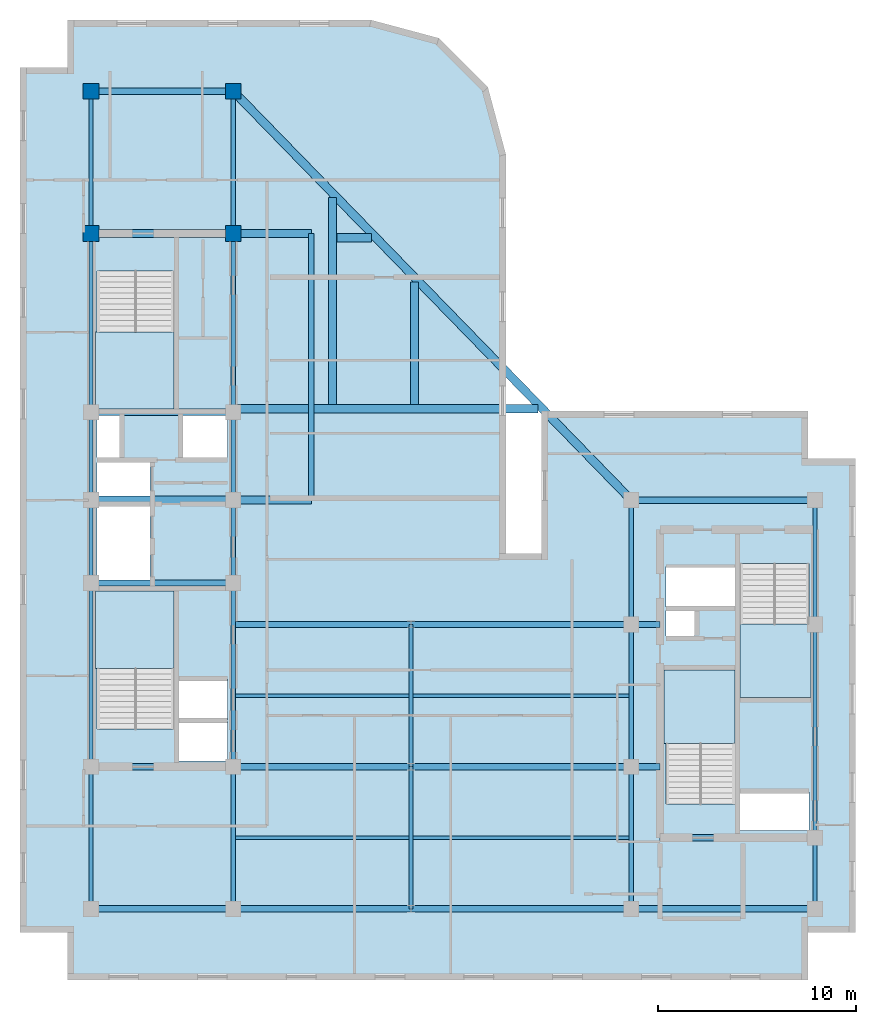
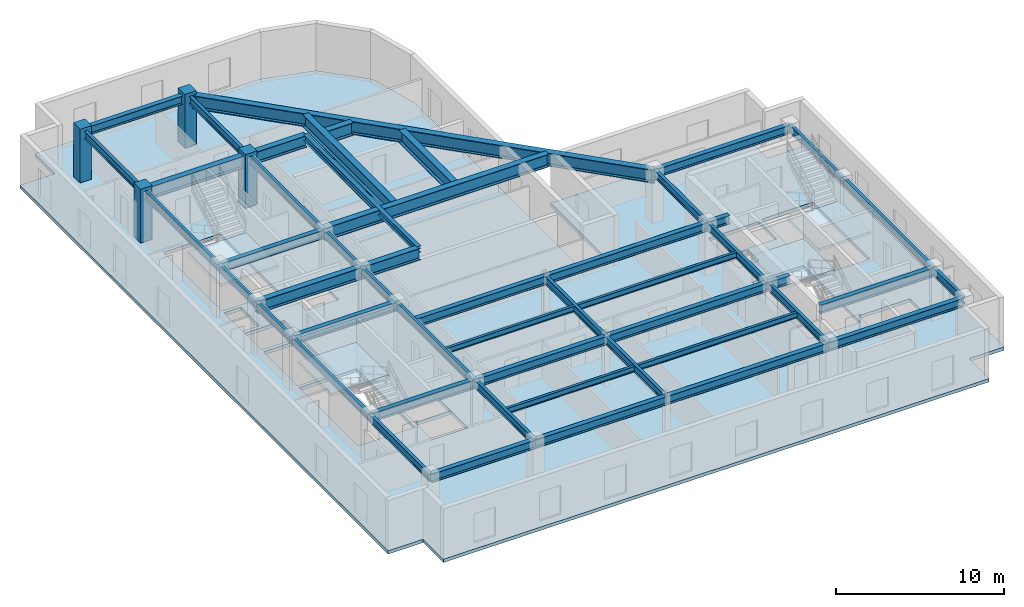
# One storey, part 2 of 10: 48 beams, 5 slabs, 4 columns, 4 elements without a shape of their own.
"""IFC4 building model written with IfcOpenShell, lengths in metres."""

from ifc_helpers import new_model, entity, si_unit, converted_unit, direction, frame, origin_with_axes, origin_2d_with_axis, place, context, subcontext, project, spatial, polyline, rectangle, i_section, outline, extrude, material, layer, layer_set, material_profile, profile_set, type_object, element, aggregate, save


model = new_model("IFC4")

# Units and contexts
model_context = context("Model", 3, precision=1e-05, world=origin_with_axes(), true_north=direction((0.0, 1.0)))
body_context = subcontext(model_context, "Body", "Model", "MODEL_VIEW")
ifc_project = project(units=[si_unit("LENGTHUNIT", "METRE"), si_unit("AREAUNIT", "SQUARE_METRE"), si_unit("VOLUMEUNIT", "CUBIC_METRE"), converted_unit("PLANEANGLEUNIT", "DEGREE", entity("IfcPlaneAngleMeasure", 0.017453292519943295), si_unit("PLANEANGLEUNIT", "RADIAN"), dimensions=[0, 0, 0, 0, 0, 0, 0]), si_unit("MASSUNIT", "GRAM", prefix="KILO"), si_unit("THERMODYNAMICTEMPERATUREUNIT", "KELVIN")], contexts=[model_context])

# Site, building, storey
site_placement = place(None, origin_with_axes())
site = spatial("IfcSite", under=ifc_project, at=site_placement, CompositionType="ELEMENT")
building_placement = place(site_placement, origin_with_axes())
building = spatial("IfcBuilding", under=site, at=building_placement, Name="Varnlund Millrace Tower", CompositionType="ELEMENT")
storey_placement = place(building_placement, frame((0.0, 0.0, 280.2), z_axis=(0.0, 0.0, 1.0), x_axis=(1.0, 0.0, 0.0)))
storey = spatial("IfcBuildingStorey", under=building, at=storey_placement, Name="L69", CompositionType="ELEMENT", Elevation=280.2)

# Columns
ifc_material_1 = material(Name="Concrete C60/75", Category="concrete")
ifc_material_profile_1 = material_profile(ifc_material_1, rectangle(XDim=0.8, YDim=0.8, at=origin_2d_with_axis()), Name="Concrete C60/75")
ifc_profile_set_1 = profile_set([ifc_material_profile_1], Name="Concrete C60/75")
column_type = type_object("IfcColumnType", Name="Type-Col-RC800-C60", PredefinedType="COLUMN", material=ifc_profile_set_1)
for number, where, z_axis, x_axis, name in (
    (1, (11.4, 37.8, 0.0), (0.0, 0.0, 1.0), (1.0, 0.0, 0.0), "Type-Col-RC800-C60"),
    (2, (11.4, 45.0, 0.0), (0.0, 0.0, 1.0), (1.0, 0.0, 0.0), "Type-Col-RC800-C60"),
    (3, (18.6, 37.8, 0.0), (0.0, 0.0, 1.0), (1.0, 0.0, 0.0), "Type-Col-RC800-C60"),
    (4, (18.6, 45.0, 0.0), (0.0, 0.0, 1.0), (1.0, 0.0, 0.0), "Type-Col-RC800-C60"),
):
    element("IfcColumn", number, at=place(storey_placement, frame(where, z_axis=z_axis, x_axis=x_axis)), inside=storey, type_object=column_type, Name=name, PredefinedType="COLUMN", context=body_context, shape_type="SweptSolid", body=[
        extrude(rectangle(XDim=0.8, YDim=0.8, at=origin_2d_with_axis()), origin_with_axes(), (0.0, 0.0, 1.0), 3.9),
    ])

# Beams
ifc_material_2 = material(Name="Steel ASTM A992 Grade 50", Category="steel")
ifc_material_profile_2 = material_profile(ifc_material_2, i_section(OverallWidth=0.28, OverallDepth=0.463, WebThickness=0.0108, FlangeThickness=0.0173, FilletRadius=0.015, at=origin_2d_with_axis()), Name="Steel ASTM A992 Grade 50")
ifc_profile_set_2 = profile_set([ifc_material_profile_2], Name="Steel ASTM A992 Grade 50")
beam_type_1 = type_object("IfcBeamType", Name="Type-Beam-W18X76", PredefinedType="BEAM", material=ifc_profile_set_2)
beam_1_placement = place(storey_placement, frame((22.55, 24.3, 3.4285), z_axis=(0.0, 1.0, 0.0), x_axis=(-1.0, 0.0, 0.0)))
element("IfcBeam", 5, at=beam_1_placement, inside=storey, type_object=beam_type_1, Name="Type-Beam-W18X76", PredefinedType="BEAM", context=body_context, shape_type="SweptSolid", body=[
    extrude(i_section(OverallWidth=0.28, OverallDepth=0.463, WebThickness=0.0108, FlangeThickness=0.0173, FilletRadius=0.015, at=origin_2d_with_axis()), origin_with_axes(), (0.0, 0.0, 1.0), 13.5),
])
ifc_material_profile_3 = material_profile(ifc_material_2, i_section(OverallWidth=0.214, OverallDepth=0.549, WebThickness=0.0147, FlangeThickness=0.0236, FilletRadius=0.015, at=origin_2d_with_axis()), Name="Steel ASTM A992 Grade 50")
ifc_profile_set_3 = profile_set([ifc_material_profile_3], Name="Steel ASTM A992 Grade 50")
beam_type_2 = type_object("IfcBeamType", Name="Type-Beam-W21X93", PredefinedType="BEAM", material=ifc_profile_set_3)
beam_2_placement = place(storey_placement, frame((11.4, 3.6, 3.3855), z_axis=(0.0, 1.0, 0.0), x_axis=(-1.0, 0.0, 0.0)))
element("IfcBeam", 6, at=beam_2_placement, inside=storey, type_object=beam_type_2, Name="Type-Beam-W21X93", PredefinedType="BEAM", context=body_context, shape_type="SweptSolid", body=[
    extrude(i_section(OverallWidth=0.214, OverallDepth=0.549, WebThickness=0.0147, FlangeThickness=0.0236, FilletRadius=0.015, at=origin_2d_with_axis()), origin_with_axes(), (0.0, 0.0, 1.0), 7.2),
])
beam_3_placement = place(storey_placement, frame((11.4, 10.8, 3.3855), z_axis=(0.0, 1.0, 0.0), x_axis=(-1.0, 0.0, 0.0)))
element("IfcBeam", 7, at=beam_3_placement, inside=storey, type_object=beam_type_2, Name="Type-Beam-W21X93", PredefinedType="BEAM", context=body_context, shape_type="SweptSolid", body=[
    extrude(i_section(OverallWidth=0.214, OverallDepth=0.549, WebThickness=0.0147, FlangeThickness=0.0236, FilletRadius=0.015, at=origin_2d_with_axis()), origin_with_axes(), (0.0, 0.0, 1.0), 9.3),
])
beam_4_placement = place(storey_placement, frame((11.4, 20.1, 3.3855), z_axis=(0.0, 1.0, 0.0), x_axis=(-1.0, 0.0, 0.0)))
element("IfcBeam", 8, at=beam_4_placement, inside=storey, type_object=beam_type_2, Name="Type-Beam-W21X93", PredefinedType="BEAM", context=body_context, shape_type="SweptSolid", body=[
    extrude(i_section(OverallWidth=0.214, OverallDepth=0.549, WebThickness=0.0147, FlangeThickness=0.0236, FilletRadius=0.015, at=origin_2d_with_axis()), origin_with_axes(), (0.0, 0.0, 1.0), 4.2),
])
beam_5_placement = place(storey_placement, frame((11.4, 24.3, 3.3855), z_axis=(0.0, 1.0, 0.0), x_axis=(-1.0, 0.0, 0.0)))
element("IfcBeam", 9, at=beam_5_placement, inside=storey, type_object=beam_type_2, Name="Type-Beam-W21X93", PredefinedType="BEAM", context=body_context, shape_type="SweptSolid", body=[
    extrude(i_section(OverallWidth=0.214, OverallDepth=0.549, WebThickness=0.0147, FlangeThickness=0.0236, FilletRadius=0.015, at=origin_2d_with_axis()), origin_with_axes(), (0.0, 0.0, 1.0), 4.45),
])
beam_6_placement = place(storey_placement, frame((11.4, 28.75, 3.3855), z_axis=(0.0, 1.0, 0.0), x_axis=(-1.0, 0.0, 0.0)))
element("IfcBeam", 10, at=beam_6_placement, inside=storey, type_object=beam_type_2, Name="Type-Beam-W21X93", PredefinedType="BEAM", context=body_context, shape_type="SweptSolid", body=[
    extrude(i_section(OverallWidth=0.214, OverallDepth=0.549, WebThickness=0.0147, FlangeThickness=0.0236, FilletRadius=0.015, at=origin_2d_with_axis()), origin_with_axes(), (0.0, 0.0, 1.0), 9.05),
])
for number, where, z_axis, x_axis, name in (
    (11, (11.4, 37.8, 3.3855), (0.0, 1.0, 0.0), (-1.0, 0.0, 0.0), "Type-Beam-W21X93"),
    (12, (18.6, 3.6, 3.3855), (0.0, 1.0, 0.0), (-1.0, 0.0, 0.0), "Type-Beam-W21X93"),
):
    element("IfcBeam", number, at=place(storey_placement, frame(where, z_axis=z_axis, x_axis=x_axis)), inside=storey, type_object=beam_type_2, Name=name, PredefinedType="BEAM", context=body_context, shape_type="SweptSolid", body=[
        extrude(i_section(OverallWidth=0.214, OverallDepth=0.549, WebThickness=0.0147, FlangeThickness=0.0236, FilletRadius=0.015, at=origin_2d_with_axis()), origin_with_axes(), (0.0, 0.0, 1.0), 7.2),
    ])
beam_7_placement = place(storey_placement, frame((18.6, 10.8, 3.3855), z_axis=(0.0, 1.0, 0.0), x_axis=(-1.0, 0.0, 0.0)))
element("IfcBeam", 13, at=beam_7_placement, inside=storey, type_object=beam_type_2, Name="Type-Beam-W21X93", PredefinedType="BEAM", context=body_context, shape_type="SweptSolid", body=[
    extrude(i_section(OverallWidth=0.214, OverallDepth=0.549, WebThickness=0.0147, FlangeThickness=0.0236, FilletRadius=0.015, at=origin_2d_with_axis()), origin_with_axes(), (0.0, 0.0, 1.0), 9.3),
])
beam_8_placement = place(storey_placement, frame((18.6, 20.1, 3.3855), z_axis=(0.0, 1.0, 0.0), x_axis=(-1.0, 0.0, 0.0)))
element("IfcBeam", 14, at=beam_8_placement, inside=storey, type_object=beam_type_2, Name="Type-Beam-W21X93", PredefinedType="BEAM", context=body_context, shape_type="SweptSolid", body=[
    extrude(i_section(OverallWidth=0.214, OverallDepth=0.549, WebThickness=0.0147, FlangeThickness=0.0236, FilletRadius=0.015, at=origin_2d_with_axis()), origin_with_axes(), (0.0, 0.0, 1.0), 4.2),
])
beam_9_placement = place(storey_placement, frame((18.6, 24.3, 3.3855), z_axis=(0.0, 1.0, 0.0), x_axis=(-1.0, 0.0, 0.0)))
element("IfcBeam", 15, at=beam_9_placement, inside=storey, type_object=beam_type_2, Name="Type-Beam-W21X93", PredefinedType="BEAM", context=body_context, shape_type="SweptSolid", body=[
    extrude(i_section(OverallWidth=0.214, OverallDepth=0.549, WebThickness=0.0147, FlangeThickness=0.0236, FilletRadius=0.015, at=origin_2d_with_axis()), origin_with_axes(), (0.0, 0.0, 1.0), 4.45),
])
beam_10_placement = place(storey_placement, frame((18.6, 28.75, 3.3855), z_axis=(0.0, 1.0, 0.0), x_axis=(-1.0, 0.0, 0.0)))
element("IfcBeam", 16, at=beam_10_placement, inside=storey, type_object=beam_type_2, Name="Type-Beam-W21X93", PredefinedType="BEAM", context=body_context, shape_type="SweptSolid", body=[
    extrude(i_section(OverallWidth=0.214, OverallDepth=0.549, WebThickness=0.0147, FlangeThickness=0.0236, FilletRadius=0.015, at=origin_2d_with_axis()), origin_with_axes(), (0.0, 0.0, 1.0), 9.05),
])
for number, where, z_axis, x_axis, name in (
    (17, (18.6, 37.8, 3.3855), (0.0, 1.0, 0.0), (-1.0, 0.0, 0.0), "Type-Beam-W21X93"),
    (18, (27.6, 3.6, 3.3855), (0.0, 1.0, 0.0), (-1.0, 0.0, 0.0), "Type-Beam-W21X93"),
    (19, (27.6, 10.8, 3.3855), (0.0, 1.0, 0.0), (-1.0, 0.0, 0.0), "Type-Beam-W21X93"),
    (20, (38.75, 3.6, 3.3855), (0.0, 1.0, 0.0), (-1.0, 0.0, 0.0), "Type-Beam-W21X93"),
    (21, (38.75, 10.8, 3.3855), (0.0, 1.0, 0.0), (-1.0, 0.0, 0.0), "Type-Beam-W21X93"),
):
    element("IfcBeam", number, at=place(storey_placement, frame(where, z_axis=z_axis, x_axis=x_axis)), inside=storey, type_object=beam_type_2, Name=name, PredefinedType="BEAM", context=body_context, shape_type="SweptSolid", body=[
        extrude(i_section(OverallWidth=0.214, OverallDepth=0.549, WebThickness=0.0147, FlangeThickness=0.0236, FilletRadius=0.015, at=origin_2d_with_axis()), origin_with_axes(), (0.0, 0.0, 1.0), 7.2),
    ])
beam_11_placement = place(storey_placement, frame((38.75, 18.0, 3.3855), z_axis=(0.0, 1.0, 0.0), x_axis=(-1.0, 0.0, 0.0)))
element("IfcBeam", 22, at=beam_11_placement, inside=storey, type_object=beam_type_2, Name="Type-Beam-W21X93", PredefinedType="BEAM", context=body_context, shape_type="SweptSolid", body=[
    extrude(i_section(OverallWidth=0.214, OverallDepth=0.549, WebThickness=0.0147, FlangeThickness=0.0236, FilletRadius=0.015, at=origin_2d_with_axis()), origin_with_axes(), (0.0, 0.0, 1.0), 6.3),
])
beam_12_placement = place(storey_placement, frame((48.05, 3.6, 3.3855), z_axis=(0.0, 1.0, 0.0), x_axis=(-1.0, 0.0, 0.0)))
element("IfcBeam", 23, at=beam_12_placement, inside=storey, type_object=beam_type_2, Name="Type-Beam-W21X93", PredefinedType="BEAM", context=body_context, shape_type="SweptSolid", body=[
    extrude(i_section(OverallWidth=0.214, OverallDepth=0.549, WebThickness=0.0147, FlangeThickness=0.0236, FilletRadius=0.015, at=origin_2d_with_axis()), origin_with_axes(), (0.0, 0.0, 1.0), 3.6),
])
beam_13_placement = place(storey_placement, frame((48.05, 7.2, 3.3855), z_axis=(0.0, 1.0, 0.0), x_axis=(-1.0, 0.0, 0.0)))
element("IfcBeam", 24, at=beam_13_placement, inside=storey, type_object=beam_type_2, Name="Type-Beam-W21X93", PredefinedType="BEAM", context=body_context, shape_type="SweptSolid", body=[
    extrude(i_section(OverallWidth=0.214, OverallDepth=0.549, WebThickness=0.0147, FlangeThickness=0.0236, FilletRadius=0.015, at=origin_2d_with_axis()), origin_with_axes(), (0.0, 0.0, 1.0), 10.8),
])
beam_14_placement = place(storey_placement, frame((48.05, 18.0, 3.3855), z_axis=(0.0, 1.0, 0.0), x_axis=(-1.0, 0.0, 0.0)))
element("IfcBeam", 25, at=beam_14_placement, inside=storey, type_object=beam_type_2, Name="Type-Beam-W21X93", PredefinedType="BEAM", context=body_context, shape_type="SweptSolid", body=[
    extrude(i_section(OverallWidth=0.214, OverallDepth=0.549, WebThickness=0.0147, FlangeThickness=0.0236, FilletRadius=0.015, at=origin_2d_with_axis()), origin_with_axes(), (0.0, 0.0, 1.0), 6.3),
])
ifc_material_profile_4 = material_profile(ifc_material_2, i_section(OverallWidth=0.324, OverallDepth=0.611, WebThickness=0.0127, FlangeThickness=0.0191, FilletRadius=0.016, at=origin_2d_with_axis()), Name="Steel ASTM A992 Grade 50")
ifc_profile_set_4 = profile_set([ifc_material_profile_4], Name="Steel ASTM A992 Grade 50")
beam_type_3 = type_object("IfcBeamType", Name="Type-Girder-W24X104", PredefinedType="USERDEFINED", material=ifc_profile_set_4)
beam_15_placement = place(storey_placement, frame((11.4, 3.6, 3.3545), z_axis=(1.0, 0.0, 0.0), x_axis=(0.0, 1.0, 0.0)))
element("IfcBeam", 26, at=beam_15_placement, inside=storey, type_object=beam_type_3, Name="Type-Girder-W24X104", ObjectType="GIRDER", PredefinedType="USERDEFINED", context=body_context, shape_type="SweptSolid", body=[
    extrude(i_section(OverallWidth=0.324, OverallDepth=0.611, WebThickness=0.0127, FlangeThickness=0.0191, FilletRadius=0.016, at=origin_2d_with_axis()), origin_with_axes(), (0.0, 0.0, 1.0), 7.2),
])
beam_16_placement = place(storey_placement, frame((18.6, 3.6, 3.3545), z_axis=(1.0, 0.0, 0.0), x_axis=(0.0, 1.0, 0.0)))
element("IfcBeam", 27, at=beam_16_placement, inside=storey, type_object=beam_type_3, Name="Type-Girder-W24X104", ObjectType="GIRDER", PredefinedType="USERDEFINED", context=body_context, shape_type="SweptSolid", body=[
    extrude(i_section(OverallWidth=0.324, OverallDepth=0.611, WebThickness=0.0127, FlangeThickness=0.0191, FilletRadius=0.016, at=origin_2d_with_axis()), origin_with_axes(), (0.0, 0.0, 1.0), 9.0),
])
beam_17_placement = place(storey_placement, frame((27.6, 3.6, 3.3545), z_axis=(1.0, 0.0, 0.0), x_axis=(0.0, 1.0, 0.0)))
element("IfcBeam", 28, at=beam_17_placement, inside=storey, type_object=beam_type_3, Name="Type-Girder-W24X104", ObjectType="GIRDER", PredefinedType="USERDEFINED", context=body_context, shape_type="SweptSolid", body=[
    extrude(i_section(OverallWidth=0.324, OverallDepth=0.611, WebThickness=0.0127, FlangeThickness=0.0191, FilletRadius=0.016, at=origin_2d_with_axis()), origin_with_axes(), (0.0, 0.0, 1.0), 11.15),
])
beam_18_placement = place(storey_placement, frame((38.75, 3.6, 3.3545), z_axis=(1.0, 0.0, 0.0), x_axis=(0.0, 1.0, 0.0)))
element("IfcBeam", 29, at=beam_18_placement, inside=storey, type_object=beam_type_3, Name="Type-Girder-W24X104", ObjectType="GIRDER", PredefinedType="USERDEFINED", context=body_context, shape_type="SweptSolid", body=[
    extrude(i_section(OverallWidth=0.324, OverallDepth=0.611, WebThickness=0.0127, FlangeThickness=0.0191, FilletRadius=0.016, at=origin_2d_with_axis()), origin_with_axes(), (0.0, 0.0, 1.0), 9.3),
])
beam_19_placement = place(storey_placement, frame((40.2, 7.2, 3.3545), z_axis=(1.0, 0.0, 0.0), x_axis=(0.0, 1.0, 0.0)))
element("IfcBeam", 30, at=beam_19_placement, inside=storey, type_object=beam_type_3, Name="Type-Girder-W24X104", ObjectType="GIRDER", PredefinedType="USERDEFINED", context=body_context, shape_type="SweptSolid", body=[
    extrude(i_section(OverallWidth=0.324, OverallDepth=0.611, WebThickness=0.0127, FlangeThickness=0.0191, FilletRadius=0.016, at=origin_2d_with_axis()), origin_with_axes(), (0.0, 0.0, 1.0), 7.85),
])
beam_20_placement = place(storey_placement, frame((11.4, 10.8, 3.3545), z_axis=(1.0, 0.0, 0.0), x_axis=(0.0, 1.0, 0.0)))
element("IfcBeam", 31, at=beam_20_placement, inside=storey, type_object=beam_type_3, Name="Type-Girder-W24X104", ObjectType="GIRDER", PredefinedType="USERDEFINED", context=body_context, shape_type="SweptSolid", body=[
    extrude(i_section(OverallWidth=0.324, OverallDepth=0.611, WebThickness=0.0127, FlangeThickness=0.0191, FilletRadius=0.016, at=origin_2d_with_axis()), origin_with_axes(), (0.0, 0.0, 1.0), 7.2),
])
beam_21_placement = place(storey_placement, frame((18.6, 10.8, 3.3545), z_axis=(1.0, 0.0, 0.0), x_axis=(0.0, 1.0, 0.0)))
element("IfcBeam", 32, at=beam_21_placement, inside=storey, type_object=beam_type_3, Name="Type-Girder-W24X104", ObjectType="GIRDER", PredefinedType="USERDEFINED", context=body_context, shape_type="SweptSolid", body=[
    extrude(i_section(OverallWidth=0.324, OverallDepth=0.611, WebThickness=0.0127, FlangeThickness=0.0191, FilletRadius=0.016, at=origin_2d_with_axis()), origin_with_axes(), (0.0, 0.0, 1.0), 9.0),
])
beam_22_placement = place(storey_placement, frame((27.6, 10.8, 3.3545), z_axis=(1.0, 0.0, 0.0), x_axis=(0.0, 1.0, 0.0)))
element("IfcBeam", 33, at=beam_22_placement, inside=storey, type_object=beam_type_3, Name="Type-Girder-W24X104", ObjectType="GIRDER", PredefinedType="USERDEFINED", context=body_context, shape_type="SweptSolid", body=[
    extrude(i_section(OverallWidth=0.324, OverallDepth=0.611, WebThickness=0.0127, FlangeThickness=0.0191, FilletRadius=0.016, at=origin_2d_with_axis()), origin_with_axes(), (0.0, 0.0, 1.0), 11.15),
])
beam_23_placement = place(storey_placement, frame((38.75, 10.8, 3.3545), z_axis=(1.0, 0.0, 0.0), x_axis=(0.0, 1.0, 0.0)))
element("IfcBeam", 34, at=beam_23_placement, inside=storey, type_object=beam_type_3, Name="Type-Girder-W24X104", ObjectType="GIRDER", PredefinedType="USERDEFINED", context=body_context, shape_type="SweptSolid", body=[
    extrude(i_section(OverallWidth=0.324, OverallDepth=0.611, WebThickness=0.0127, FlangeThickness=0.0191, FilletRadius=0.016, at=origin_2d_with_axis()), origin_with_axes(), (0.0, 0.0, 1.0), 1.45),
])
beam_24_placement = place(storey_placement, frame((18.6, 18.0, 3.3545), z_axis=(1.0, 0.0, 0.0), x_axis=(0.0, 1.0, 0.0)))
element("IfcBeam", 35, at=beam_24_placement, inside=storey, type_object=beam_type_3, Name="Type-Girder-W24X104", ObjectType="GIRDER", PredefinedType="USERDEFINED", context=body_context, shape_type="SweptSolid", body=[
    extrude(i_section(OverallWidth=0.324, OverallDepth=0.611, WebThickness=0.0127, FlangeThickness=0.0191, FilletRadius=0.016, at=origin_2d_with_axis()), origin_with_axes(), (0.0, 0.0, 1.0), 9.0),
])
beam_25_placement = place(storey_placement, frame((27.6, 18.0, 3.3545), z_axis=(1.0, 0.0, 0.0), x_axis=(0.0, 1.0, 0.0)))
element("IfcBeam", 36, at=beam_25_placement, inside=storey, type_object=beam_type_3, Name="Type-Girder-W24X104", ObjectType="GIRDER", PredefinedType="USERDEFINED", context=body_context, shape_type="SweptSolid", body=[
    extrude(i_section(OverallWidth=0.324, OverallDepth=0.611, WebThickness=0.0127, FlangeThickness=0.0191, FilletRadius=0.016, at=origin_2d_with_axis()), origin_with_axes(), (0.0, 0.0, 1.0), 11.15),
])
beam_26_placement = place(storey_placement, frame((38.75, 18.0, 3.3545), z_axis=(1.0, 0.0, 0.0), x_axis=(0.0, 1.0, 0.0)))
element("IfcBeam", 37, at=beam_26_placement, inside=storey, type_object=beam_type_3, Name="Type-Girder-W24X104", ObjectType="GIRDER", PredefinedType="USERDEFINED", context=body_context, shape_type="SweptSolid", body=[
    extrude(i_section(OverallWidth=0.324, OverallDepth=0.611, WebThickness=0.0127, FlangeThickness=0.0191, FilletRadius=0.016, at=origin_2d_with_axis()), origin_with_axes(), (0.0, 0.0, 1.0), 1.45),
])
beam_27_placement = place(storey_placement, frame((11.4, 20.1, 3.3545), z_axis=(1.0, 0.0, 0.0), x_axis=(0.0, 1.0, 0.0)))
element("IfcBeam", 38, at=beam_27_placement, inside=storey, type_object=beam_type_3, Name="Type-Girder-W24X104", ObjectType="GIRDER", PredefinedType="USERDEFINED", context=body_context, shape_type="SweptSolid", body=[
    extrude(i_section(OverallWidth=0.324, OverallDepth=0.611, WebThickness=0.0127, FlangeThickness=0.0191, FilletRadius=0.016, at=origin_2d_with_axis()), origin_with_axes(), (0.0, 0.0, 1.0), 7.2),
])
beam_28_placement = place(storey_placement, frame((38.75, 24.3, 3.3545), z_axis=(1.0, 0.0, 0.0), x_axis=(0.0, 1.0, 0.0)))
element("IfcBeam", 39, at=beam_28_placement, inside=storey, type_object=beam_type_3, Name="Type-Girder-W24X104", ObjectType="GIRDER", PredefinedType="USERDEFINED", context=body_context, shape_type="SweptSolid", body=[
    extrude(i_section(OverallWidth=0.324, OverallDepth=0.611, WebThickness=0.0127, FlangeThickness=0.0191, FilletRadius=0.016, at=origin_2d_with_axis()), origin_with_axes(), (0.0, 0.0, 1.0), 9.3),
])
for number, where, z_axis, x_axis, name in (
    (40, (11.4, 28.75, 3.3545), (1.0, 0.0, 0.0), (0.0, 1.0, 0.0), "Type-Girder-W24X104"),
    (41, (11.4, 45.0, 3.3545), (1.0, 0.0, 0.0), (0.0, 1.0, 0.0), "Type-Girder-W24X104"),
):
    element("IfcBeam", number, at=place(storey_placement, frame(where, z_axis=z_axis, x_axis=x_axis)), inside=storey, type_object=beam_type_3, Name=name, ObjectType="GIRDER", PredefinedType="USERDEFINED", context=body_context, shape_type="SweptSolid", body=[
        extrude(i_section(OverallWidth=0.324, OverallDepth=0.611, WebThickness=0.0127, FlangeThickness=0.0191, FilletRadius=0.016, at=origin_2d_with_axis()), origin_with_axes(), (0.0, 0.0, 1.0), 7.2),
    ])
ifc_material_profile_5 = material_profile(ifc_material_2, i_section(OverallWidth=0.399, OverallDepth=0.855, WebThickness=0.0182, FlangeThickness=0.0292, FilletRadius=0.022, at=origin_2d_with_axis()), Name="Steel ASTM A992 Grade 50")
ifc_profile_set_5 = profile_set([ifc_material_profile_5], Name="Steel ASTM A992 Grade 50")
beam_type_4 = type_object("IfcBeamType", Name="Type-Girder-W33X201", PredefinedType="USERDEFINED", material=ifc_profile_set_5)
for number, where, z_axis, x_axis, name in (
    (42, (11.4, 24.3, 3.2325), (1.0, 0.0, 0.0), (0.0, 1.0, 0.0), "Type-Girder-W33X201"),
    (43, (11.4, 37.8, 3.2325), (1.0, 0.0, 0.0), (0.0, 1.0, 0.0), "Type-Girder-W33X201"),
):
    element("IfcBeam", number, at=place(storey_placement, frame(where, z_axis=z_axis, x_axis=x_axis)), inside=storey, type_object=beam_type_4, Name=name, ObjectType="GIRDER", PredefinedType="USERDEFINED", context=body_context, shape_type="SweptSolid", body=[
        extrude(i_section(OverallWidth=0.399, OverallDepth=0.855, WebThickness=0.0182, FlangeThickness=0.0292, FilletRadius=0.022, at=origin_2d_with_axis()), origin_with_axes(), (0.0, 0.0, 1.0), 11.15),
    ])
ifc_material_profile_6 = material_profile(ifc_material_2, i_section(OverallWidth=0.418, OverallDepth=0.927, WebThickness=0.0193, FlangeThickness=0.032, FilletRadius=0.024, at=origin_2d_with_axis()), Name="Steel ASTM A992 Grade 50")
ifc_profile_set_6 = profile_set([ifc_material_profile_6], Name="Steel ASTM A992 Grade 50")
beam_type_5 = type_object("IfcBeamType", Name="Type-Girder-W36X231", PredefinedType="USERDEFINED", material=ifc_profile_set_6)
beam_29_placement = place(storey_placement, frame((18.707, 28.925, 3.1965), z_axis=(1.0, 0.0, 0.0), x_axis=(0.0, 1.0, 0.0)))
element("IfcBeam", 44, at=beam_29_placement, inside=storey, type_object=beam_type_5, Name="Type-Girder-W36X231", ObjectType="GIRDER", PredefinedType="USERDEFINED", context=body_context, shape_type="SweptSolid", body=[
    extrude(i_section(OverallWidth=0.418, OverallDepth=0.927, WebThickness=0.0193, FlangeThickness=0.032, FilletRadius=0.024, at=origin_2d_with_axis()), origin_with_axes(), (0.0, 0.0, 1.0), 15.323),
])
beam_30_placement = place(storey_placement, frame((27.775, 29.14, 3.1965), z_axis=(0.0, 1.0, 0.0), x_axis=(-1.0, 0.0, 0.0)))
element("IfcBeam", 45, at=beam_30_placement, inside=storey, type_object=beam_type_5, Name="Type-Girder-W36X231", ObjectType="GIRDER", PredefinedType="USERDEFINED", context=body_context, shape_type="SweptSolid", body=[
    extrude(i_section(OverallWidth=0.418, OverallDepth=0.927, WebThickness=0.0193, FlangeThickness=0.032, FilletRadius=0.024, at=origin_2d_with_axis()), origin_with_axes(), (0.0, 0.0, 1.0), 6.2),
])
beam_31_placement = place(storey_placement, frame((23.625, 29.14, 3.1965), z_axis=(0.0, 1.0, 0.0), x_axis=(-1.0, 0.0, 0.0)))
element("IfcBeam", 46, at=beam_31_placement, inside=storey, type_object=beam_type_5, Name="Type-Girder-W36X231", ObjectType="GIRDER", PredefinedType="USERDEFINED", context=body_context, shape_type="SweptSolid", body=[
    extrude(i_section(OverallWidth=0.418, OverallDepth=0.927, WebThickness=0.0193, FlangeThickness=0.032, FilletRadius=0.024, at=origin_2d_with_axis()), origin_with_axes(), (0.0, 0.0, 1.0), 10.47),
])
beam_32_placement = place(storey_placement, frame((23.84, 37.575, 3.1965), z_axis=(1.0, 0.0, 0.0), x_axis=(0.0, 1.0, 0.0)))
element("IfcBeam", 47, at=beam_32_placement, inside=storey, type_object=beam_type_5, Name="Type-Girder-W36X231", ObjectType="GIRDER", PredefinedType="USERDEFINED", context=body_context, shape_type="SweptSolid", body=[
    extrude(i_section(OverallWidth=0.418, OverallDepth=0.927, WebThickness=0.0193, FlangeThickness=0.032, FilletRadius=0.024, at=origin_2d_with_axis()), origin_with_axes(), (0.0, 0.0, 1.0), 1.76),
])
ifc_material_3 = material(Name="Steel ASTM A913 Grade 65", Category="steel")
ifc_material_profile_7 = material_profile(ifc_material_3, i_section(OverallWidth=0.423, OverallDepth=0.948, WebThickness=0.024, FlangeThickness=0.0427, FilletRadius=0.025, at=origin_2d_with_axis()), Name="Steel ASTM A913 Grade 65")
ifc_profile_set_7 = profile_set([ifc_material_profile_7], Name="Steel ASTM A913 Grade 65")
beam_type_6 = type_object("IfcBeamType", Name="Type-Girder-W36X302", PredefinedType="USERDEFINED", material=ifc_profile_set_7)
beam_33_placement = place(storey_placement, frame((18.6, 45.0, 3.186), z_axis=(0.697523, -0.716562, 0.0), x_axis=(0.716562, 0.697523, 0.0)))
element("IfcBeam", 48, at=beam_33_placement, inside=storey, type_object=beam_type_6, Name="Type-Girder-W36X302", ObjectType="GIRDER", PredefinedType="USERDEFINED", context=body_context, shape_type="SweptSolid", body=[
    extrude(i_section(OverallWidth=0.423, OverallDepth=0.948, WebThickness=0.024, FlangeThickness=0.0427, FilletRadius=0.025, at=origin_2d_with_axis()), origin_with_axes(), (0.0, 0.0, 1.0), 28.88793),
])
ifc_material_profile_8 = material_profile(ifc_material_2, i_section(OverallWidth=0.178, OverallDepth=0.403, WebThickness=0.0075, FlangeThickness=0.0109, FilletRadius=0.011, at=origin_2d_with_axis()), Name="Steel ASTM A992 Grade 50")
ifc_profile_set_8 = profile_set([ifc_material_profile_8], Name="Steel ASTM A992 Grade 50")
beam_type_7 = type_object("IfcBeamType", Name="Type-Joist-W16X36", PredefinedType="JOIST", material=ifc_profile_set_8)
for number, where, z_axis, x_axis, name in (
    (49, (18.707, 7.2, 3.4585), (1.0, 0.0, 0.0), (0.0, 1.0, 0.0), "Type-Joist-W16X36"),
    (50, (18.707, 14.4, 3.4585), (1.0, 0.0, 0.0), (0.0, 1.0, 0.0), "Type-Joist-W16X36"),
):
    element("IfcBeam", number, at=place(storey_placement, frame(where, z_axis=z_axis, x_axis=x_axis)), inside=storey, type_object=beam_type_7, Name=name, PredefinedType="JOIST", context=body_context, shape_type="SweptSolid", body=[
        extrude(i_section(OverallWidth=0.178, OverallDepth=0.403, WebThickness=0.0075, FlangeThickness=0.0109, FilletRadius=0.011, at=origin_2d_with_axis()), origin_with_axes(), (0.0, 0.0, 1.0), 8.786),
    ])
for number, where, z_axis, x_axis, name in (
    (51, (27.707, 7.2, 3.4585), (1.0, 0.0, 0.0), (0.0, 1.0, 0.0), "Type-Joist-W16X36"),
    (52, (27.707, 14.4, 3.4585), (1.0, 0.0, 0.0), (0.0, 1.0, 0.0), "Type-Joist-W16X36"),
):
    element("IfcBeam", number, at=place(storey_placement, frame(where, z_axis=z_axis, x_axis=x_axis)), inside=storey, type_object=beam_type_7, Name=name, PredefinedType="JOIST", context=body_context, shape_type="SweptSolid", body=[
        extrude(i_section(OverallWidth=0.178, OverallDepth=0.403, WebThickness=0.0075, FlangeThickness=0.0109, FilletRadius=0.011, at=origin_2d_with_axis()), origin_with_axes(), (0.0, 0.0, 1.0), 10.936),
    ])

# Slab
ifc_layer_1 = layer(ifc_material_1, 0.24, Name="Concrete C60/75")
ifc_layer_set_1 = layer_set([ifc_layer_1], Name="Concrete C60/75")
slab_type_1 = type_object("IfcSlabType", Name="Type-Deck-Plate-Typical-240", PredefinedType="FLOOR", material=ifc_layer_set_1)
slab_1_placement = place(storey_placement, frame((0.0, 0.0, -0.24), z_axis=(0.0, 0.0, 1.0), x_axis=(1.0, 0.0, 0.0)))
element("IfcSlab", 53, at=slab_1_placement, inside=storey, type_object=slab_type_1, Name="Type-Deck-Plate-Typical-240", PredefinedType="FLOOR", context=body_context, shape_type="SweptSolid", body=[
    extrude(outline(polyline([(32.4, 21.6), (32.4, 41.8), (31.489, 45.2), (29.0, 47.689), (25.6, 48.6), (10.2, 48.6), (10.2, 46.2), (7.8, 46.2), (7.8, 2.4), (10.2, 2.4), (10.2, 0.0), (47.7, 0.0), (47.7, 2.4), (50.1, 2.4), (50.1, 26.4), (47.7, 26.4), (47.7, 28.8), (34.2, 28.8), (34.2, 21.6), (32.4, 21.6)]), holes=[polyline([(18.3, 13.1), (18.3, 11.1), (15.84, 11.1), (15.84, 13.1), (18.3, 13.1)]), polyline([(15.6, 12.715), (11.7, 12.715), (11.7, 19.7), (15.6, 19.7), (15.6, 12.715)]), polyline([(11.7, 19.94), (11.7, 23.98), (14.38, 23.98), (14.38, 19.94), (11.7, 19.94)]), polyline([(14.38, 24.24), (11.7, 24.24), (11.7, 26.2), (14.38, 26.2), (14.38, 24.24)]), polyline([(12.84, 26.46), (11.7, 26.46), (11.7, 28.65), (12.84, 28.65), (12.84, 26.46)]), polyline([(15.6, 28.9), (11.7, 28.9), (11.7, 35.885), (15.6, 35.885), (15.6, 28.9)]), polyline([(47.75, 9.52), (47.75, 7.58), (44.25, 7.58), (44.25, 9.52), (47.75, 9.52)]), polyline([(44.0, 8.915), (40.5, 8.915), (40.5, 15.7), (44.0, 15.7), (44.0, 8.915)]), polyline([(18.3, 13.16), (15.84, 13.16), (15.84, 15.24), (18.3, 15.24), (18.3, 13.16)]), polyline([(47.75, 14.3), (44.25, 14.3), (44.25, 21.085), (47.75, 21.085), (47.75, 14.3)]), polyline([(41.95, 17.42), (40.5, 17.42), (40.5, 18.72), (41.95, 18.72), (41.95, 17.42)]), polyline([(44.0, 18.88), (40.5, 18.88), (40.5, 20.94), (44.0, 20.94), (44.0, 18.88)]), polyline([(18.3, 26.46), (16.04, 26.46), (16.04, 28.65), (18.3, 28.65), (18.3, 26.46)])]), origin_with_axes(), (0.0, 0.0, 1.0), 0.24),
])

# Stair, slab
ifc_material_4 = material(Name="Concrete C50/60", Category="concrete")
stair_type_1 = type_object("IfcStairType", Name="Type-Stair-Dogleg-185-390", PredefinedType="HALF_TURN_STAIR", material=ifc_material_4)
stair_1_placement = place(storey_placement, origin_with_axes())
stair_1 = element("IfcStair", 54, at=stair_1_placement, inside=storey, type_object=stair_type_1, Name="Type-Stair-Dogleg-185-390", PredefinedType="HALF_TURN_STAIR")
ifc_layer_2 = layer(ifc_material_4, 0.2, Name="Concrete C50/60")
ifc_layer_set_2 = layer_set([ifc_layer_2], Name="Concrete C50/60")
slab_type_2 = type_object("IfcSlabType", Name="Type-StairLanding-200", PredefinedType="LANDING", material=ifc_layer_set_2)
slab_2_placement = place(storey_placement, frame((0.0, 0.0, 1.75), z_axis=(0.0, 0.0, 1.0), x_axis=(1.0, 0.0, 0.0)))
slab_2 = element("IfcSlab", 55, at=slab_2_placement, type_object=slab_type_2, Name="ST-A1 landing 1", PredefinedType="LANDING", context=body_context, shape_type="SweptSolid", body=[
    extrude(outline(polyline([(15.6, 15.78), (15.6, 19.7), (11.61, 19.7), (11.61, 15.78), (15.6, 15.78)])), origin_with_axes(), (0.0, 0.0, 1.0), 0.2),
])
aggregate(stair_1, [slab_2])

stair_2_placement = place(storey_placement, origin_with_axes())
stair_2 = element("IfcStair", 56, at=stair_2_placement, inside=storey, type_object=stair_type_1, Name="Type-Stair-Dogleg-185-390", PredefinedType="HALF_TURN_STAIR")
slab_3_placement = place(storey_placement, frame((0.0, 0.0, 1.75), z_axis=(0.0, 0.0, 1.0), x_axis=(1.0, 0.0, 0.0)))
slab_3 = element("IfcSlab", 57, at=slab_3_placement, type_object=slab_type_2, Name="ST-A2 landing 1", PredefinedType="LANDING", context=body_context, shape_type="SweptSolid", body=[
    extrude(outline(polyline([(11.61, 32.82), (11.61, 28.9), (15.6, 28.9), (15.6, 32.82), (11.61, 32.82)])), origin_with_axes(), (0.0, 0.0, 1.0), 0.2),
])
aggregate(stair_2, [slab_3])

stair_type_2 = type_object("IfcStairType", Name="Type-Stair-Dogleg-165-390", PredefinedType="HALF_TURN_STAIR", material=ifc_material_4)
stair_3_placement = place(storey_placement, origin_with_axes())
stair_3 = element("IfcStair", 58, at=stair_3_placement, inside=storey, type_object=stair_type_2, Name="Type-Stair-Dogleg-165-390", PredefinedType="HALF_TURN_STAIR")
slab_4_placement = place(storey_placement, frame((0.0, 0.0, 1.75), z_axis=(0.0, 0.0, 1.0), x_axis=(1.0, 0.0, 0.0)))
slab_4 = element("IfcSlab", 59, at=slab_4_placement, type_object=slab_type_2, Name="ST-B1 landing 1", PredefinedType="LANDING", context=body_context, shape_type="SweptSolid", body=[
    extrude(outline(polyline([(44.0, 11.98), (44.0, 15.7), (40.41, 15.7), (40.41, 11.98), (44.0, 11.98)])), origin_with_axes(), (0.0, 0.0, 1.0), 0.2),
])
aggregate(stair_3, [slab_4])

stair_4_placement = place(storey_placement, origin_with_axes())
stair_4 = element("IfcStair", 60, at=stair_4_placement, inside=storey, type_object=stair_type_2, Name="Type-Stair-Dogleg-165-390", PredefinedType="HALF_TURN_STAIR")
slab_5_placement = place(storey_placement, frame((0.0, 0.0, 1.75), z_axis=(0.0, 0.0, 1.0), x_axis=(1.0, 0.0, 0.0)))
slab_5 = element("IfcSlab", 61, at=slab_5_placement, type_object=slab_type_2, Name="ST-B2 landing 1", PredefinedType="LANDING", context=body_context, shape_type="SweptSolid", body=[
    extrude(outline(polyline([(44.25, 18.02), (44.25, 14.3), (47.84, 14.3), (47.84, 18.02), (44.25, 18.02)])), origin_with_axes(), (0.0, 0.0, 1.0), 0.2),
])
aggregate(stair_4, [slab_5])

save(model, "model.ifc")
